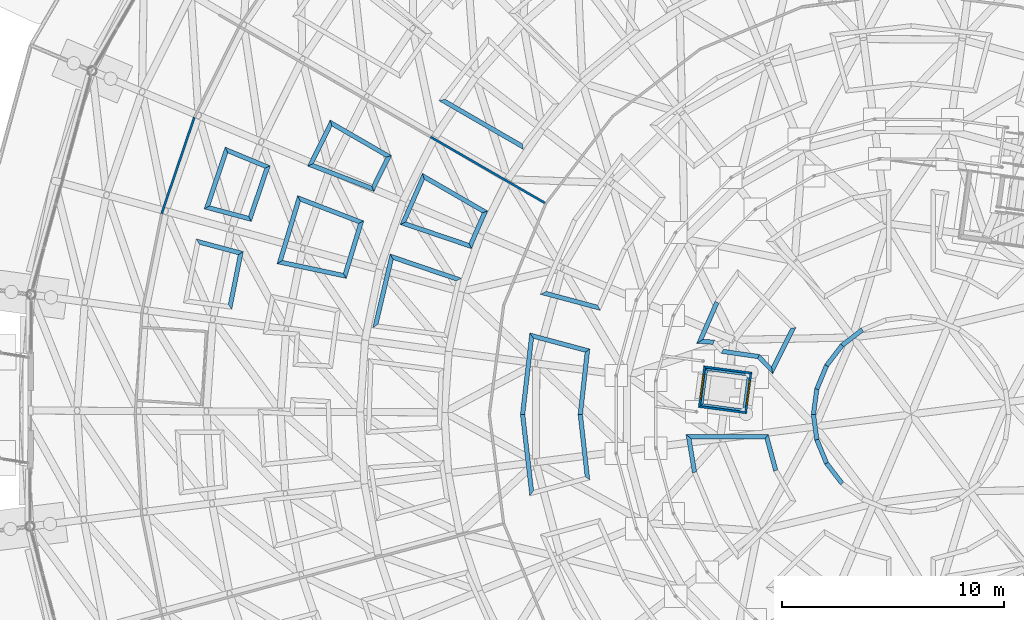
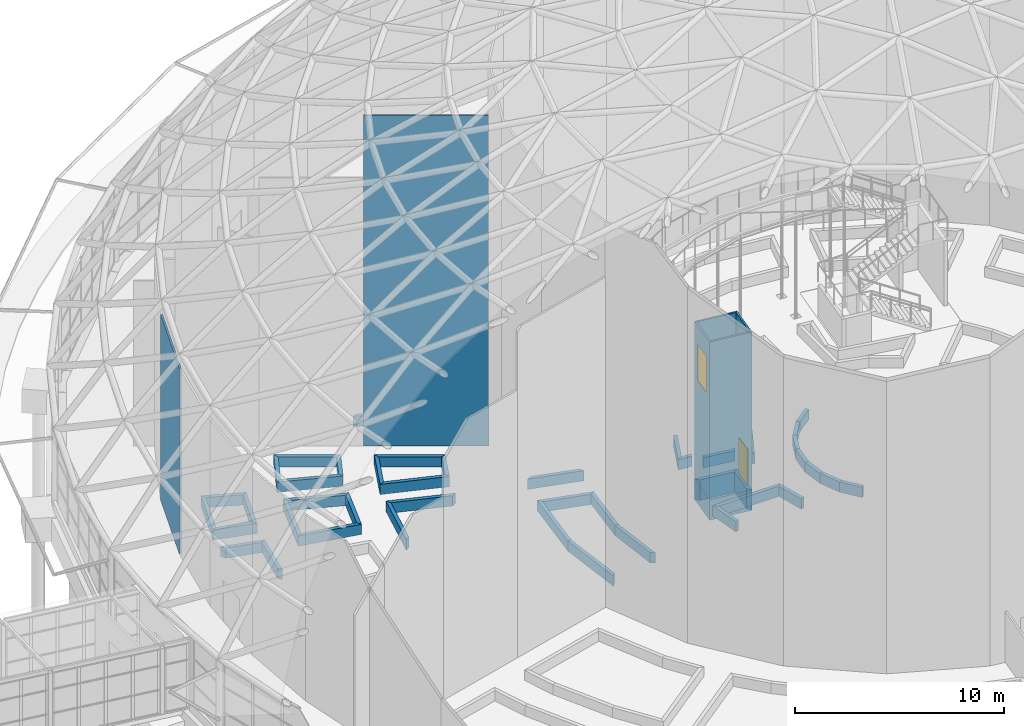
# One storey, part 170 of 226: 52 walls, 2 doors, 2 openings.
"""IFC4 building model written with IfcOpenShell, lengths in metres."""

from ifc_helpers import new_model, si_unit, direction, frame, frame_2d, origin, place, context, subcontext, project, spatial, polyline, rectangle, outline, extrude, material, layer, layer_set, type_object, element, fill, save


model = new_model("IFC4")

# Units and contexts
model_context = context("Model", 3, precision=1e-05, world=origin(), true_north=direction((0.0, 1.0)))
body_context = subcontext(model_context, "Body", "Model", "MODEL_VIEW")
ifc_project = project(units=[si_unit("LENGTHUNIT", "METRE"), si_unit("AREAUNIT", "SQUARE_METRE"), si_unit("VOLUMEUNIT", "CUBIC_METRE"), si_unit("PLANEANGLEUNIT", "RADIAN"), si_unit("MASSUNIT", "GRAM", prefix="KILO")], contexts=[model_context])

# Site, building, storey
site_placement = place(None, origin())
site = spatial("IfcSite", under=ifc_project, at=site_placement, CompositionType="ELEMENT")
building_placement = place(site_placement, origin())
building = spatial("IfcBuilding", under=site, at=building_placement, Name="Ceibo Conservatory and Research Tower", CompositionType="ELEMENT")
storey_placement = place(building_placement, origin())
storey = spatial("IfcBuildingStorey", under=building, at=storey_placement, Name="L00", CompositionType="ELEMENT", Elevation=0.0)

# Walls
ifc_material_1 = material(Name="Aluminium and glass", Category="aluminium")
ifc_layer_1 = layer(ifc_material_1, 0.10009765625)
ifc_layer_set_1 = layer_set([ifc_layer_1], Name="Aluminium and glass")
wall_type_1 = type_object("IfcWallType", Name="Airlock screen wall 100", PredefinedType="PARTITIONING", material=ifc_layer_set_1)
wall_1_placement = place(storey_placement, frame((123.71044921875, 121.374755859375, 0.0), z_axis=(0.0, 0.0, 1.0), x_axis=(-0.321429748592, -0.946933427818, 0.0)))
element("IfcWall", 1, at=wall_1_placement, inside=storey, type_object=wall_type_1, Name="Glazed partition O", PredefinedType="PARTITIONING", context=body_context, shape_type="SweptSolid", body=[
    extrude(outline(polyline([(-0.003173828125, -0.050048828125), (4.574951171875, -0.050048828125), (4.568603515625, 0.050048828125), (0.003173828125, 0.050048828125), (-0.003173828125, -0.050048828125)])), origin(), (0.0, 0.0, 1.0), 10.84130859375),
])
wall_2_placement = place(storey_placement, frame((139.545166015625, 117.500244140625, 0.0), z_axis=(0.0, 0.0, 1.0), x_axis=(-0.866028371585, 0.499994859584, 0.0)))
element("IfcWall", 2, at=wall_2_placement, inside=storey, type_object=wall_type_1, Name="Glazed partition R", PredefinedType="PARTITIONING", context=body_context, shape_type="SweptSolid", body=[
    extrude(rectangle(XDim=5.99951171875, YDim=0.10009765625, at=frame_2d((2.999755859375, 0.0))), origin(), (0.0, 0.0, 1.0), 19.278076171875),
])
ifc_material_2 = material(Name="Masonry blockwork", Category="masonry")
ifc_layer_2 = layer(ifc_material_2, 0.199951171875)
ifc_layer_set_2 = layer_set([ifc_layer_2], Name="Masonry blockwork")
wall_type_2 = type_object("IfcWallType", Name="Dome planter wall 200", PredefinedType="SOLIDWALL", material=ifc_layer_set_2)
for number, where, z_axis, x_axis, name in (
    (3, (153.800537109375, 111.809814453125, 0.0), (0.0, 0.0, 1.0), (-0.793318876541, -0.608806340411, 0.0), "Planter wall A-PB001"),
    (4, (152.889404296875, 111.110595703125, 0.0), (0.0, 0.0, 1.0), (-0.608806340411, -0.793318876541, 0.0), "Planter wall A-PB001"),
):
    element("IfcWall", number, at=place(storey_placement, frame(where, z_axis=z_axis, x_axis=x_axis)), inside=storey, type_object=wall_type_2, Name=name, PredefinedType="SOLIDWALL", context=body_context, shape_type="SweptSolid", body=[
        extrude(outline(polyline([(-0.01318359375, -0.10009765625), (1.16162109375, -0.10009765625), (1.13525390625, 0.10009765625), (0.01318359375, 0.10009765625), (-0.01318359375, -0.10009765625)])), origin(), (0.0, 0.0, 1.0), 0.60009765625),
    ])
wall_3_placement = place(storey_placement, frame((152.190185546875, 110.199462890625, 0.0), z_axis=(0.0, 0.0, 1.0), x_axis=(-0.382727364981, -0.923861333802, 0.0)))
element("IfcWall", 5, at=wall_3_placement, inside=storey, type_object=wall_type_2, Name="Planter wall A-PB001", PredefinedType="SOLIDWALL", context=body_context, shape_type="SweptSolid", body=[
    extrude(outline(polyline([(-0.01318359375, -0.10009765625), (1.161376953125, -0.10009765625), (1.135009765625, 0.10009765625), (0.01318359375, 0.10009765625), (-0.01318359375, -0.10009765625)])), origin(), (0.0, 0.0, 1.0), 0.60009765625),
])
for number, where, z_axis, x_axis, name in (
    (6, (151.750732421875, 109.138671875, 0.0), (0.0, 0.0, 1.0), (-0.130520498525, -0.991445610946, 0.0), "Planter wall A-PB001"),
    (7, (151.600830078125, 108.0, 0.0), (0.0, 0.0, 1.0), (0.130520498525, -0.991445610946, 0.0), "Planter wall A-PB001"),
):
    element("IfcWall", number, at=place(storey_placement, frame(where, z_axis=z_axis, x_axis=x_axis)), inside=storey, type_object=wall_type_2, Name=name, PredefinedType="SOLIDWALL", context=body_context, shape_type="SweptSolid", body=[
        extrude(outline(polyline([(-0.01318359375, -0.10009765625), (1.16162109375, -0.10009765625), (1.13525390625, 0.10009765625), (0.01318359375, 0.10009765625), (-0.01318359375, -0.10009765625)])), origin(), (0.0, 0.0, 1.0), 0.60009765625),
    ])
wall_4_placement = place(storey_placement, frame((151.750732421875, 106.861328125, 0.0), z_axis=(0.0, 0.0, 1.0), x_axis=(0.382727364981, -0.923861333802, 0.0)))
element("IfcWall", 8, at=wall_4_placement, inside=storey, type_object=wall_type_2, Name="Planter wall A-PB001", PredefinedType="SOLIDWALL", context=body_context, shape_type="SweptSolid", body=[
    extrude(outline(polyline([(-0.01318359375, -0.10009765625), (1.161376953125, -0.10009765625), (1.135009765625, 0.10009765625), (0.01318359375, 0.10009765625), (-0.01318359375, -0.10009765625)])), origin(), (0.0, 0.0, 1.0), 0.60009765625),
])
wall_5_placement = place(storey_placement, frame((152.190185546875, 105.800537109375, 0.0), z_axis=(0.0, 0.0, 1.0), x_axis=(0.608806340411, -0.793318876541, 0.0)))
element("IfcWall", 9, at=wall_5_placement, inside=storey, type_object=wall_type_2, Name="Planter wall A-PB001", PredefinedType="SOLIDWALL", context=body_context, shape_type="SweptSolid", body=[
    extrude(outline(polyline([(-0.01318359375, -0.10009765625), (1.16162109375, -0.10009765625), (1.13525390625, 0.10009765625), (0.01318359375, 0.10009765625), (-0.01318359375, -0.10009765625)])), origin(), (0.0, 0.0, 1.0), 0.60009765625),
])
wall_6_placement = place(storey_placement, frame((146.486328125, 111.290283203125, 0.0), z_axis=(0.0, 0.0, 1.0), x_axis=(0.998040385728, -0.062573064936, 0.0)))
element("IfcWall", 10, at=wall_6_placement, inside=storey, type_object=wall_type_2, Name="Planter wall A-PB005", PredefinedType="SOLIDWALL", context=body_context, shape_type="SweptSolid", body=[
    extrude(outline(polyline([(-0.142578125, -0.10009765625), (0.58447265625, -0.10009765625), (0.6640625, 0.10009765625), (0.142578125, 0.10009765625), (-0.142578125, -0.10009765625)])), origin(), (0.0, 0.0, 1.0), 0.60009765625),
])
wall_7_placement = place(storey_placement, frame((147.49365234375, 110.840087890625, 0.0), z_axis=(0.0, 0.0, 1.0), x_axis=(0.989678541257, -0.14330521615, 0.0)))
element("IfcWall", 11, at=wall_7_placement, inside=storey, type_object=wall_type_2, Name="Planter wall A-PB005", PredefinedType="SOLIDWALL", context=body_context, shape_type="SweptSolid", body=[
    extrude(outline(polyline([(-0.03515625, -0.10009765625), (1.6171875, -0.10009765625), (1.6845703125, 0.10009765625), (0.03515625, 0.10009765625), (-0.03515625, -0.10009765625)])), origin(), (0.0, 0.0, 1.0), 0.60009765625),
])
wall_8_placement = place(storey_placement, frame((149.12744140625, 110.603515625, 0.0), z_axis=(0.0, 0.0, 1.0), x_axis=(0.699794404794, -0.714344308453, 0.0)))
element("IfcWall", 12, at=wall_8_placement, inside=storey, type_object=wall_type_2, Name="Planter wall A-PB005", PredefinedType="SOLIDWALL", context=body_context, shape_type="SweptSolid", body=[
    extrude(outline(polyline([(0.03369140625, -0.10009765625), (1.012939453125, -0.10009765625), (0.732177734375, 0.10009765625), (-0.03369140625, 0.10009765625), (0.03369140625, -0.10009765625)])), origin(), (0.0, 0.0, 1.0), 0.60009765625),
])
wall_9_placement = place(storey_placement, frame((149.738037109375, 109.980224609375, 0.0), z_axis=(0.0, 0.0, 1.0), x_axis=(0.446391197125, 0.894837917798, 0.0)))
element("IfcWall", 13, at=wall_9_placement, inside=storey, type_object=wall_type_2, Name="Planter wall A-PB005", PredefinedType="SOLIDWALL", context=body_context, shape_type="SweptSolid", body=[
    extrude(outline(polyline([(-0.140380859375, -0.10009765625), (2.2099609375, -0.10009765625), (2.06591796875, 0.10009765625), (0.140380859375, 0.10009765625), (-0.140380859375, -0.10009765625)])), origin(), (0.0, 0.0, 1.0), 0.60009765625),
])
wall_10_placement = place(storey_placement, frame((147.25390625, 113.05029296875, 0.0), z_axis=(0.0, 0.0, 1.0), x_axis=(-0.399758013602, -0.916620712487, 0.0)))
element("IfcWall", 14, at=wall_10_placement, inside=storey, type_object=wall_type_2, Name="Planter wall A-PB005", PredefinedType="SOLIDWALL", context=body_context, shape_type="SweptSolid", body=[
    extrude(outline(polyline([(-0.010498046875, -0.10009765625), (2.062744140625, -0.10009765625), (1.777587890625, 0.10009765625), (0.010498046875, 0.10009765625), (-0.010498046875, -0.10009765625)])), origin(), (0.0, 0.0, 1.0), 0.60009765625),
])
wall_11_placement = place(storey_placement, frame((149.901611328125, 105.473876953125, 0.0), z_axis=(0.0, 0.0, 1.0), x_axis=(-0.260842897623, 0.965381262901, 0.0)))
element("IfcWall", 15, at=wall_11_placement, inside=storey, type_object=wall_type_2, Name="Planter wall A-PB006", PredefinedType="SOLIDWALL", context=body_context, shape_type="SweptSolid", body=[
    extrude(outline(polyline([(0.012939453125, -0.10009765625), (1.657470703125, -0.10009765625), (1.504150390625, 0.10009765625), (-0.012939453125, 0.10009765625), (0.012939453125, -0.10009765625)])), origin(), (0.0, 0.0, 1.0), 0.60009765625),
])
wall_12_placement = place(storey_placement, frame((149.4892578125, 107.0, 0.0), z_axis=(0.0, 0.0, 1.0), x_axis=(-1.0, 0.0, 0.0)))
element("IfcWall", 16, at=wall_12_placement, inside=storey, type_object=wall_type_2, Name="Planter wall A-PB006", PredefinedType="SOLIDWALL", context=body_context, shape_type="SweptSolid", body=[
    extrude(outline(polyline([(-0.07666015625, -0.10009765625), (3.630126953125, -0.10009765625), (3.394287109375, 0.10009765625), (0.07666015625, 0.10009765625), (-0.07666015625, -0.10009765625)])), origin(), (0.0, 0.0, 1.0), 0.60009765625),
])
wall_13_placement = place(storey_placement, frame((145.97705078125, 107.0, 0.0), z_axis=(0.0, 0.0, 1.0), x_axis=(0.163575300198, -0.986530851603, 0.0)))
element("IfcWall", 17, at=wall_13_placement, inside=storey, type_object=wall_type_2, Name="Planter wall A-PB006", PredefinedType="SOLIDWALL", context=body_context, shape_type="SweptSolid", body=[
    extrude(outline(polyline([(-0.117919921875, -0.10009765625), (1.645751953125, -0.10009765625), (1.622802734375, 0.10009765625), (0.117919921875, 0.10009765625), (-0.117919921875, -0.10009765625)])), origin(), (0.0, 0.0, 1.0), 0.60009765625),
])
wall_14_placement = place(storey_placement, frame((139.427490234375, 113.475830078125, 0.0), z_axis=(0.0, 0.0, 1.0), x_axis=(0.965931693355, -0.258797147923, 0.0)))
element("IfcWall", 18, at=wall_14_placement, inside=storey, type_object=wall_type_2, Name="Planter wall A-PB014", PredefinedType="SOLIDWALL", context=body_context, shape_type="SweptSolid", body=[
    extrude(outline(polyline([(-0.115966796875, -0.10009765625), (2.68408203125, -0.10009765625), (2.51220703125, 0.10009765625), (0.115966796875, 0.10009765625), (-0.115966796875, -0.10009765625)])), origin(), (0.0, 0.0, 1.0), 0.60009765625),
])
wall_15_placement = place(storey_placement, frame((138.909912109375, 111.5439453125, 0.0), z_axis=(0.0, 0.0, 1.0), x_axis=(-0.114696838457, -0.993400541196, 0.0)))
element("IfcWall", 19, at=wall_15_placement, inside=storey, type_object=wall_type_2, Name="Planter wall A-PB015", PredefinedType="SOLIDWALL", context=body_context, shape_type="SweptSolid", body=[
    extrude(outline(polyline([(-0.115966796875, -0.10009765625), (3.578857421875, -0.10009765625), (3.555908203125, 0.10009765625), (0.115966796875, 0.10009765625), (-0.115966796875, -0.10009765625)])), origin(), (0.0, 0.0, 1.0), 0.60009765625),
])
wall_16_placement = place(storey_placement, frame((138.500732421875, 108.0, 0.0), z_axis=(0.0, 0.0, 1.0), x_axis=(0.114696838457, -0.993400541196, 0.0)))
element("IfcWall", 20, at=wall_16_placement, inside=storey, type_object=wall_type_2, Name="Planter wall A-PB015", PredefinedType="SOLIDWALL", context=body_context, shape_type="SweptSolid", body=[
    extrude(outline(polyline([(-0.011474609375, -0.10009765625), (3.683349609375, -0.10009765625), (3.451416015625, 0.10009765625), (0.011474609375, 0.10009765625), (-0.011474609375, -0.10009765625)])), origin(), (0.0, 0.0, 1.0), 0.60009765625),
])
wall_17_placement = place(storey_placement, frame((141.41943359375, 105.12841796875, 0.0), z_axis=(0.0, 0.0, 1.0), x_axis=(-0.11077465693, 0.993845549058, 0.0)))
element("IfcWall", 21, at=wall_17_placement, inside=storey, type_object=wall_type_2, Name="Planter wall A-PB015", PredefinedType="SOLIDWALL", context=body_context, shape_type="SweptSolid", body=[
    extrude(outline(polyline([(-0.0859375, -0.10009765625), (2.878173828125, -0.10009765625), (2.900634765625, 0.10009765625), (0.0859375, 0.10009765625), (-0.0859375, -0.10009765625)])), origin(), (0.0, 0.0, 1.0), 0.60009765625),
])
wall_18_placement = place(storey_placement, frame((141.099365234375, 108.0, 0.0), z_axis=(0.0, 0.0, 1.0), x_axis=(0.11077465693, 0.993845549058, 0.0)))
element("IfcWall", 22, at=wall_18_placement, inside=storey, type_object=wall_type_2, Name="Planter wall A-PB015", PredefinedType="SOLIDWALL", context=body_context, shape_type="SweptSolid", body=[
    extrude(outline(polyline([(0.01123046875, -0.10009765625), (2.975341796875, -0.10009765625), (2.803466796875, 0.10009765625), (-0.01123046875, 0.10009765625), (0.01123046875, -0.10009765625)])), origin(), (0.0, 0.0, 1.0), 0.60009765625),
])
wall_19_placement = place(storey_placement, frame((141.41943359375, 110.87158203125, 0.0), z_axis=(0.0, 0.0, 1.0), x_axis=(-0.965931693355, 0.258797147923, 0.0)))
element("IfcWall", 23, at=wall_19_placement, inside=storey, type_object=wall_type_2, Name="Planter wall A-PB015", PredefinedType="SOLIDWALL", context=body_context, shape_type="SweptSolid", body=[
    extrude(outline(polyline([(-0.0859375, -0.10009765625), (2.714111328125, -0.10009765625), (2.482177734375, 0.10009765625), (0.0859375, 0.10009765625), (-0.0859375, -0.10009765625)])), origin(), (0.0, 0.0, 1.0), 0.60009765625),
])
wall_20_placement = place(storey_placement, frame((134.86962890625, 122.16259765625, 0.0), z_axis=(0.0, 0.0, 1.0), x_axis=(0.866012248823, -0.50002278437, 0.0)))
element("IfcWall", 24, at=wall_20_placement, inside=storey, type_object=wall_type_2, Name="Planter wall A-PB034", PredefinedType="SOLIDWALL", context=body_context, shape_type="SweptSolid", body=[
    extrude(outline(polyline([(-0.1142578125, -0.10009765625), (4.28564453125, -0.10009765625), (4.111328125, 0.10009765625), (0.1142578125, 0.10009765625), (-0.1142578125, -0.10009765625)])), origin(), (0.0, 0.0, 1.0), 0.60009765625),
])
wall_21_placement = place(storey_placement, frame((136.8037109375, 117.119873046875, 0.0), z_axis=(0.0, 0.0, 1.0), x_axis=(-0.866031798771, 0.499988923394, 0.0)))
element("IfcWall", 25, at=wall_21_placement, inside=storey, type_object=wall_type_2, Name="Planter wall A-PB062", PredefinedType="SOLIDWALL", context=body_context, shape_type="SweptSolid", body=[
    extrude(outline(polyline([(-0.089111328125, -0.10009765625), (3.310546875, -0.10009765625), (3.0869140625, 0.10009765625), (0.089111328125, 0.10009765625), (-0.089111328125, -0.10009765625)])), origin(), (0.0, 0.0, 1.0), 0.60009765625),
])
wall_22_placement = place(storey_placement, frame((134.033447265625, 118.71923828125, 0.0), z_axis=(0.0, 0.0, 1.0), x_axis=(-0.399541917572, -0.916714926301, 0.0)))
element("IfcWall", 26, at=wall_22_placement, inside=storey, type_object=wall_type_2, Name="Planter wall A-PB062", PredefinedType="SOLIDWALL", context=body_context, shape_type="SweptSolid", body=[
    extrude(outline(polyline([(-0.11181640625, -0.10009765625), (2.40625, -0.10009765625), (2.18896484375, 0.10009765625), (0.11181640625, 0.10009765625), (-0.11181640625, -0.10009765625)])), origin(), (0.0, 0.0, 1.0), 0.60009765625),
])
wall_23_placement = place(storey_placement, frame((133.115478515625, 116.613037109375, 0.0), z_axis=(0.0, 0.0, 1.0), x_axis=(0.946940459778, -0.321409031663, 0.0)))
element("IfcWall", 27, at=wall_23_placement, inside=storey, type_object=wall_type_2, Name="Planter wall A-PB062", PredefinedType="SOLIDWALL", context=body_context, shape_type="SweptSolid", body=[
    extrude(outline(polyline([(-0.108642578125, -0.10009765625), (3.283935546875, -0.10009765625), (3.099853515625, 0.10009765625), (0.108642578125, 0.10009765625), (-0.108642578125, -0.10009765625)])), origin(), (0.0, 0.0, 1.0), 0.60009765625),
])
wall_24_placement = place(storey_placement, frame((136.137939453125, 115.587158203125, 0.0), z_axis=(0.0, 0.0, 1.0), x_axis=(0.398410895803, 0.917207042115, 0.0)))
element("IfcWall", 28, at=wall_24_placement, inside=storey, type_object=wall_type_2, Name="Planter wall A-PB062", PredefinedType="SOLIDWALL", context=body_context, shape_type="SweptSolid", body=[
    extrude(outline(polyline([(-0.092041015625, -0.10009765625), (1.76025390625, -0.10009765625), (1.58203125, 0.10009765625), (0.092041015625, 0.10009765625), (-0.092041015625, -0.10009765625)])), origin(), (0.0, 0.0, 1.0), 0.60009765625),
])
wall_25_placement = place(storey_placement, frame((135.625, 114.071533203125, 0.0), z_axis=(0.0, 0.0, 1.0), x_axis=(-0.946917177878, 0.321477617013, 0.0)))
element("IfcWall", 29, at=wall_25_placement, inside=storey, type_object=wall_type_2, Name="Planter wall A-PB063", PredefinedType="SOLIDWALL", context=body_context, shape_type="SweptSolid", body=[
    extrude(outline(polyline([(-0.090576171875, -0.10009765625), (3.302001953125, -0.10009765625), (3.081787109375, 0.10009765625), (0.090576171875, 0.10009765625), (-0.090576171875, -0.10009765625)])), origin(), (0.0, 0.0, 1.0), 0.60009765625),
])
wall_26_placement = place(storey_placement, frame((132.6025390625, 115.09765625, 0.0), z_axis=(0.0, 0.0, 1.0), x_axis=(-0.229026572544, -0.973420170876, 0.0)))
element("IfcWall", 30, at=wall_26_placement, inside=storey, type_object=wall_type_2, Name="Planter wall A-PB063", PredefinedType="SOLIDWALL", context=body_context, shape_type="SweptSolid", body=[
    extrude(outline(polyline([(-0.110107421875, -0.10009765625), (3.3095703125, -0.10009765625), (3.08837890625, 0.10009765625), (0.110107421875, 0.10009765625), (-0.110107421875, -0.10009765625)])), origin(), (0.0, 0.0, 1.0), 0.60009765625),
])
wall_27_placement = place(storey_placement, frame((128.9453125, 119.2421875, 0.0), z_axis=(0.0, 0.0, 1.0), x_axis=(0.933573614626, -0.358385694573, 0.0)))
element("IfcWall", 31, at=wall_27_placement, inside=storey, type_object=wall_type_2, Name="Planter wall A-PB066", PredefinedType="SOLIDWALL", context=body_context, shape_type="SweptSolid", body=[
    extrude(outline(polyline([(-0.109619140625, -0.10009765625), (3.096923828125, -0.10009765625), (2.914306640625, 0.10009765625), (0.109619140625, 0.10009765625), (-0.109619140625, -0.10009765625)])), origin(), (0.0, 0.0, 1.0), 0.60009765625),
])
wall_28_placement = place(storey_placement, frame((131.751220703125, 118.1650390625, 0.0), z_axis=(0.0, 0.0, 1.0), x_axis=(0.442277580701, 0.896878220055, 0.0)))
element("IfcWall", 32, at=wall_28_placement, inside=storey, type_object=wall_type_2, Name="Planter wall A-PB066", PredefinedType="SOLIDWALL", context=body_context, shape_type="SweptSolid", body=[
    extrude(outline(polyline([(-0.09130859375, -0.10009765625), (1.71826171875, -0.10009765625), (1.53076171875, 0.10009765625), (0.09130859375, 0.10009765625), (-0.09130859375, -0.10009765625)])), origin(), (0.0, 0.0, 1.0), 0.60009765625),
])
wall_29_placement = place(storey_placement, frame((132.4697265625, 119.6220703125, 0.0), z_axis=(0.0, 0.0, 1.0), x_axis=(-0.866025645708, 0.499999580976, 0.0)))
element("IfcWall", 33, at=wall_29_placement, inside=storey, type_object=wall_type_2, Name="Planter wall A-PB066", PredefinedType="SOLIDWALL", context=body_context, shape_type="SweptSolid", body=[
    extrude(outline(polyline([(-0.09375, -0.10009765625), (3.106201171875, -0.10009765625), (2.892822265625, 0.10009765625), (0.09375, 0.10009765625), (-0.09375, -0.10009765625)])), origin(), (0.0, 0.0, 1.0), 0.60009765625),
])
wall_30_placement = place(storey_placement, frame((129.8720703125, 121.121826171875, 0.0), z_axis=(0.0, 0.0, 1.0), x_axis=(-0.442220597784, -0.896906317792, 0.0)))
element("IfcWall", 34, at=wall_30_placement, inside=storey, type_object=wall_type_2, Name="Planter wall A-PB066", PredefinedType="SOLIDWALL", context=body_context, shape_type="SweptSolid", body=[
    extrude(outline(polyline([(-0.106689453125, -0.10009765625), (2.205322265625, -0.10009765625), (1.986083984375, 0.10009765625), (0.106689453125, 0.10009765625), (-0.106689453125, -0.10009765625)])), origin(), (0.0, 0.0, 1.0), 0.60009765625),
])
wall_31_placement = place(storey_placement, frame((131.225830078125, 116.653076171875, 0.0), z_axis=(0.0, 0.0, 1.0), x_axis=(-0.933580724582, 0.358367173006, 0.0)))
element("IfcWall", 35, at=wall_31_placement, inside=storey, type_object=wall_type_2, Name="Planter wall A-PB067", PredefinedType="SOLIDWALL", context=body_context, shape_type="SweptSolid", body=[
    extrude(outline(polyline([(-0.093017578125, -0.10009765625), (3.1025390625, -0.10009765625), (2.88720703125, 0.10009765625), (0.093017578125, 0.10009765625), (-0.093017578125, -0.10009765625)])), origin(), (0.0, 0.0, 1.0), 0.60009765625),
])
wall_32_placement = place(storey_placement, frame((128.429931640625, 117.726318359375, 0.0), z_axis=(0.0, 0.0, 1.0), x_axis=(-0.289001770127, -0.957328562649, 0.0)))
element("IfcWall", 36, at=wall_32_placement, inside=storey, type_object=wall_type_2, Name="Planter wall A-PB067", PredefinedType="SOLIDWALL", context=body_context, shape_type="SweptSolid", body=[
    extrude(outline(polyline([(-0.107666015625, -0.10009765625), (3.100830078125, -0.10009765625), (2.883544921875, 0.10009765625), (0.107666015625, 0.10009765625), (-0.107666015625, -0.10009765625)])), origin(), (0.0, 0.0, 1.0), 0.60009765625),
])
wall_33_placement = place(storey_placement, frame((127.565185546875, 114.86181640625, 0.0), z_axis=(0.0, 0.0, 1.0), x_axis=(0.978143714182, -0.207929974768, 0.0)))
element("IfcWall", 37, at=wall_33_placement, inside=storey, type_object=wall_type_2, Name="Planter wall A-PB067", PredefinedType="SOLIDWALL", context=body_context, shape_type="SweptSolid", body=[
    extrude(outline(polyline([(-0.108642578125, -0.10009765625), (3.084716796875, -0.10009765625), (2.901123046875, 0.10009765625), (0.108642578125, 0.10009765625), (-0.108642578125, -0.10009765625)])), origin(), (0.0, 0.0, 1.0), 0.60009765625),
])
wall_34_placement = place(storey_placement, frame((130.49267578125, 114.239501953125, 0.0), z_axis=(0.0, 0.0, 1.0), x_axis=(0.29064934329, 0.956829639615, 0.0)))
element("IfcWall", 38, at=wall_34_placement, inside=storey, type_object=wall_type_2, Name="Planter wall A-PB067", PredefinedType="SOLIDWALL", context=body_context, shape_type="SweptSolid", body=[
    extrude(outline(polyline([(-0.091796875, -0.10009765625), (2.615478515625, -0.10009765625), (2.429443359375, 0.10009765625), (0.091796875, 0.10009765625), (-0.091796875, -0.10009765625)])), origin(), (0.0, 0.0, 1.0), 0.60009765625),
])
wall_35_placement = place(storey_placement, frame((124.28564453125, 117.325927734375, 0.0), z_axis=(0.0, 0.0, 1.0), x_axis=(0.9659567689, -0.258703538081, 0.0)))
element("IfcWall", 39, at=wall_35_placement, inside=storey, type_object=wall_type_2, Name="Planter wall A-PB071", PredefinedType="SOLIDWALL", context=body_context, shape_type="SweptSolid", body=[
    extrude(outline(polyline([(-0.106689453125, -0.10009765625), (2.093505859375, -0.10009765625), (1.906005859375, 0.10009765625), (0.106689453125, 0.10009765625), (-0.106689453125, -0.10009765625)])), origin(), (0.0, 0.0, 1.0), 0.60009765625),
])
wall_36_placement = place(storey_placement, frame((126.21728515625, 116.80859375, 0.0), z_axis=(0.0, 0.0, 1.0), x_axis=(0.321453387784, 0.946925403336, 0.0)))
element("IfcWall", 40, at=wall_36_placement, inside=storey, type_object=wall_type_2, Name="Planter wall A-PB071", PredefinedType="SOLIDWALL", context=body_context, shape_type="SweptSolid", body=[
    extrude(outline(polyline([(-0.09375, -0.10009765625), (2.558349609375, -0.10009765625), (2.370849609375, 0.10009765625), (0.09375, 0.10009765625), (-0.09375, -0.10009765625)])), origin(), (0.0, 0.0, 1.0), 0.60009765625),
])
wall_37_placement = place(storey_placement, frame((127.009521484375, 119.142333984375, 0.0), z_axis=(0.0, 0.0, 1.0), x_axis=(-0.923894814104, 0.382646537254, 0.0)))
element("IfcWall", 41, at=wall_37_placement, inside=storey, type_object=wall_type_2, Name="Planter wall A-PB071", PredefinedType="SOLIDWALL", context=body_context, shape_type="SweptSolid", body=[
    extrude(outline(polyline([(-0.09375, -0.10009765625), (2.106201171875, -0.10009765625), (1.892822265625, 0.10009765625), (0.09375, 0.10009765625), (-0.09375, -0.10009765625)])), origin(), (0.0, 0.0, 1.0), 0.60009765625),
])
wall_38_placement = place(storey_placement, frame((125.162109375, 119.907470703125, 0.0), z_axis=(0.0, 0.0, 1.0), x_axis=(-0.321488500434, -0.946913482895, 0.0)))
element("IfcWall", 42, at=wall_38_placement, inside=storey, type_object=wall_type_2, Name="Planter wall A-PB071", PredefinedType="SOLIDWALL", context=body_context, shape_type="SweptSolid", body=[
    extrude(outline(polyline([(-0.106689453125, -0.10009765625), (2.8330078125, -0.10009765625), (2.61962890625, 0.10009765625), (0.106689453125, 0.10009765625), (-0.106689453125, -0.10009765625)])), origin(), (0.0, 0.0, 1.0), 0.60009765625),
])
wall_39_placement = place(storey_placement, frame((125.322265625, 112.845703125, 0.0), z_axis=(0.0, 0.0, 1.0), x_axis=(0.195049218648, 0.980793455476, 0.0)))
element("IfcWall", 43, at=wall_39_placement, inside=storey, type_object=wall_type_2, Name="Planter wall A-PB072", PredefinedType="SOLIDWALL", context=body_context, shape_type="SweptSolid", body=[
    extrude(outline(polyline([(-0.09375, -0.10009765625), (2.558349609375, -0.10009765625), (2.370849609375, 0.10009765625), (0.09375, 0.10009765625), (-0.09375, -0.10009765625)])), origin(), (0.0, 0.0, 1.0), 0.60009765625),
])
wall_40_placement = place(storey_placement, frame((125.802978515625, 115.262939453125, 0.0), z_axis=(0.0, 0.0, 1.0), x_axis=(-0.965918074498, 0.258847973447, 0.0)))
element("IfcWall", 44, at=wall_40_placement, inside=storey, type_object=wall_type_2, Name="Planter wall A-PB072", PredefinedType="SOLIDWALL", context=body_context, shape_type="SweptSolid", body=[
    extrude(outline(polyline([(-0.09375, -0.10009765625), (2.106201171875, -0.10009765625), (1.892822265625, 0.10009765625), (0.09375, 0.10009765625), (-0.09375, -0.10009765625)])), origin(), (0.0, 0.0, 1.0), 0.60009765625),
])
ifc_layer_3 = layer(ifc_material_1, 0.10009765625)
ifc_layer_set_3 = layer_set([ifc_layer_3], Name="Aluminium and glass")
wall_type_3 = type_object("IfcWallType", Name="Glazed lift enclosure 100", PredefinedType="PARTITIONING", material=ifc_layer_set_3)
wall_41_placement = place(storey_placement, frame((148.781982421875, 109.863037109375, 0.0), z_axis=(0.0, 0.0, 1.0), x_axis=(-0.991363437119, 0.131143187178, 0.0)))
element("IfcWall", 45, at=wall_41_placement, inside=storey, type_object=wall_type_3, Name="Lift enclosure wall 1", PredefinedType="PARTITIONING", context=body_context, shape_type="SweptSolid", body=[
    extrude(outline(polyline([(-0.050048828125, -0.050048828125), (2.14990234375, -0.050048828125), (2.0498046875, 0.050048828125), (0.050048828125, 0.050048828125), (-0.050048828125, -0.050048828125)])), origin(), (0.0, 0.0, 1.0), 9.199951171875),
])

# Wall, opening, door
wall_42_placement = place(storey_placement, frame((146.7001953125, 110.138427734375, 0.0), z_axis=(0.0, 0.0, 1.0), x_axis=(-0.131159711286, -0.991361251076, 0.0)))
wall_42 = element("IfcWall", 46, at=wall_42_placement, inside=storey, type_object=wall_type_3, Name="Lift enclosure wall 2", PredefinedType="PARTITIONING", context=body_context, shape_type="SweptSolid", body=[
    extrude(outline(polyline([(-0.050048828125, -0.050048828125), (1.85009765625, -0.050048828125), (1.75, 0.050048828125), (0.050048828125, 0.050048828125), (-0.050048828125, -0.050048828125)])), origin(), (0.0, 0.0, 1.0), 9.199951171875),
])
opening_1_placement = place(wall_42_placement, frame((0.35009765625, 0.0, 6.0)))
opening_1 = element("IfcOpeningElement", 47, at=opening_1_placement, cuts=wall_42, Name="Opening LD-U", PredefinedType="OPENING", context=body_context, shape_type="SweptSolid", body=[
    extrude(rectangle(XDim=1.10009765625, YDim=2.10009765625, at=frame_2d((0.550048828125, 1.050048828125))), frame((0.0, 0.06005859375, 0.0), z_axis=(0.0, -1.0, 0.0), x_axis=(1.0, 0.0, 0.0)), (0.0, 0.0, 1.0), 0.1201171875),
])
door_type = type_object("IfcDoorType", Name="Glass lift landing door 1100x2100", OperationType="DOUBLE_DOOR_SLIDING", PredefinedType="DOOR", material=ifc_material_1)
door_1_placement = place(opening_1_placement, origin())
door_1 = element("IfcDoor", 48, at=door_1_placement, inside=storey, type_object=door_type, Name="Lift landing door U", OperationType="DOUBLE_DOOR_SLIDING", OverallHeight=2.10009765625, OverallWidth=1.10009765625, PredefinedType="DOOR", context=body_context, shape_type="SweptSolid", body=[
    extrude(rectangle(XDim=1.10009765625, YDim=2.10009765625, at=frame_2d((0.550048828125, 1.050048828125))), frame((0.0, 0.02490234375, 0.0), z_axis=(0.0, -1.0, 0.0), x_axis=(1.0, 0.0, 0.0)), (0.0, 0.0, 1.0), 0.050048828125),
])
fill(opening_1, door_1)

# Wall
wall_43_placement = place(storey_placement, frame((146.464111328125, 108.35400390625, 0.0), z_axis=(0.0, 0.0, 1.0), x_axis=(0.991363437119, -0.131143187178, 0.0)))
element("IfcWall", 49, at=wall_43_placement, inside=storey, type_object=wall_type_3, Name="Lift enclosure wall 3", PredefinedType="PARTITIONING", context=body_context, shape_type="SweptSolid", body=[
    extrude(outline(polyline([(-0.050048828125, -0.050048828125), (2.14990234375, -0.050048828125), (2.0498046875, 0.050048828125), (0.050048828125, 0.050048828125), (-0.050048828125, -0.050048828125)])), origin(), (0.0, 0.0, 1.0), 9.199951171875),
])

# Wall, opening, door
wall_44_placement = place(storey_placement, frame((148.5458984375, 108.07861328125, 0.0), z_axis=(0.0, 0.0, 1.0), x_axis=(0.131159711286, 0.991361251076, 0.0)))
wall_44 = element("IfcWall", 50, at=wall_44_placement, inside=storey, type_object=wall_type_3, Name="Lift enclosure wall 4", PredefinedType="PARTITIONING", context=body_context, shape_type="SweptSolid", body=[
    extrude(outline(polyline([(-0.050048828125, -0.050048828125), (1.85009765625, -0.050048828125), (1.75, 0.050048828125), (0.050048828125, 0.050048828125), (-0.050048828125, -0.050048828125)])), origin(), (0.0, 0.0, 1.0), 9.199951171875),
])
opening_2_placement = place(wall_44_placement, frame((0.35009765625, 0.0, 0.0)))
opening_2 = element("IfcOpeningElement", 51, at=opening_2_placement, cuts=wall_44, Name="Opening LD-G", PredefinedType="OPENING", context=body_context, shape_type="SweptSolid", body=[
    extrude(rectangle(XDim=1.10009765625, YDim=2.10009765625, at=frame_2d((0.550048828125, 1.050048828125))), frame((0.0, 0.06005859375, 0.0), z_axis=(0.0, -1.0, 0.0), x_axis=(1.0, 0.0, 0.0)), (0.0, 0.0, 1.0), 0.1201171875),
])
door_2_placement = place(opening_2_placement, origin())
door_2 = element("IfcDoor", 52, at=door_2_placement, inside=storey, type_object=door_type, Name="Lift landing door G", OperationType="DOUBLE_DOOR_SLIDING", OverallHeight=2.10009765625, OverallWidth=1.10009765625, PredefinedType="DOOR", context=body_context, shape_type="SweptSolid", body=[
    extrude(rectangle(XDim=1.10009765625, YDim=2.10009765625, at=frame_2d((0.550048828125, 1.050048828125))), frame((0.0, 0.02490234375, 0.0), z_axis=(0.0, -1.0, 0.0), x_axis=(1.0, 0.0, 0.0)), (0.0, 0.0, 1.0), 0.050048828125),
])
fill(opening_2, door_2)

# Walls
ifc_material_3 = material(Name="Concrete C35/45", Category="concrete")
ifc_layer_4 = layer(ifc_material_3, 0.199951171875)
ifc_layer_set_4 = layer_set([ifc_layer_4], Name="Concrete C35/45")
wall_type_4 = type_object("IfcWallType", Name="RC lift pit wall 200", PredefinedType="SOLIDWALL", material=ifc_layer_set_4)
wall_45_placement = place(storey_placement, frame((148.725830078125, 109.820068359375, -1.199951171875), z_axis=(0.0, 0.0, 1.0), x_axis=(-0.991352197214, 0.131228126094, 0.0)))
element("IfcWall", 53, at=wall_45_placement, inside=storey, type_object=wall_type_4, Name="Lift pit wall 1", PredefinedType="SOLIDWALL", context=body_context, shape_type="SweptSolid", body=[
    extrude(outline(polyline([(-0.099853515625, -0.10009765625), (2.099853515625, -0.10009765625), (1.900146484375, 0.10009765625), (0.099853515625, 0.10009765625), (-0.099853515625, -0.10009765625)])), origin(), (0.0, 0.0, 1.0), 1.199951171875),
])
wall_46_placement = place(storey_placement, frame((146.7431640625, 110.08251953125, -1.199951171875), z_axis=(0.0, 0.0, 1.0), x_axis=(-0.131119467281, -0.991366574633, 0.0)))
element("IfcWall", 54, at=wall_46_placement, inside=storey, type_object=wall_type_4, Name="Lift pit wall 2", PredefinedType="SOLIDWALL", context=body_context, shape_type="SweptSolid", body=[
    extrude(outline(polyline([(-0.099853515625, -0.10009765625), (1.7998046875, -0.10009765625), (1.60009765625, 0.10009765625), (0.099853515625, 0.10009765625), (-0.099853515625, -0.10009765625)])), origin(), (0.0, 0.0, 1.0), 1.199951171875),
])
wall_47_placement = place(storey_placement, frame((146.520263671875, 108.397216796875, -1.199951171875), z_axis=(0.0, 0.0, 1.0), x_axis=(0.991352197214, -0.131228126094, 0.0)))
element("IfcWall", 55, at=wall_47_placement, inside=storey, type_object=wall_type_4, Name="Lift pit wall 3", PredefinedType="SOLIDWALL", context=body_context, shape_type="SweptSolid", body=[
    extrude(outline(polyline([(-0.099853515625, -0.10009765625), (2.099853515625, -0.10009765625), (1.900146484375, 0.10009765625), (0.099853515625, 0.10009765625), (-0.099853515625, -0.10009765625)])), origin(), (0.0, 0.0, 1.0), 1.199951171875),
])
wall_48_placement = place(storey_placement, frame((148.5029296875, 108.134765625, -1.199951171875), z_axis=(0.0, 0.0, 1.0), x_axis=(0.131119467281, 0.991366574633, 0.0)))
element("IfcWall", 56, at=wall_48_placement, inside=storey, type_object=wall_type_4, Name="Lift pit wall 4", PredefinedType="SOLIDWALL", context=body_context, shape_type="SweptSolid", body=[
    extrude(outline(polyline([(-0.099853515625, -0.10009765625), (1.7998046875, -0.10009765625), (1.60009765625, 0.10009765625), (0.099853515625, 0.10009765625), (-0.099853515625, -0.10009765625)])), origin(), (0.0, 0.0, 1.0), 1.199951171875),
])

save(model, "model.ifc")
